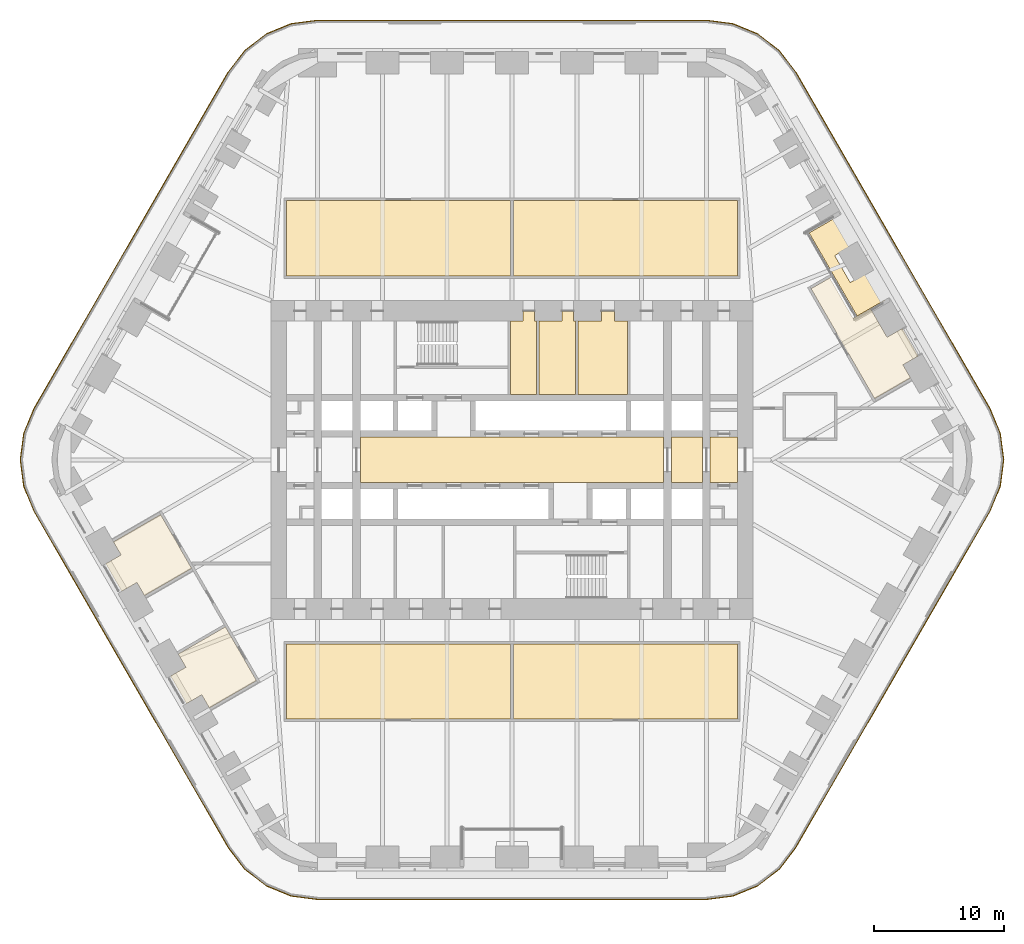
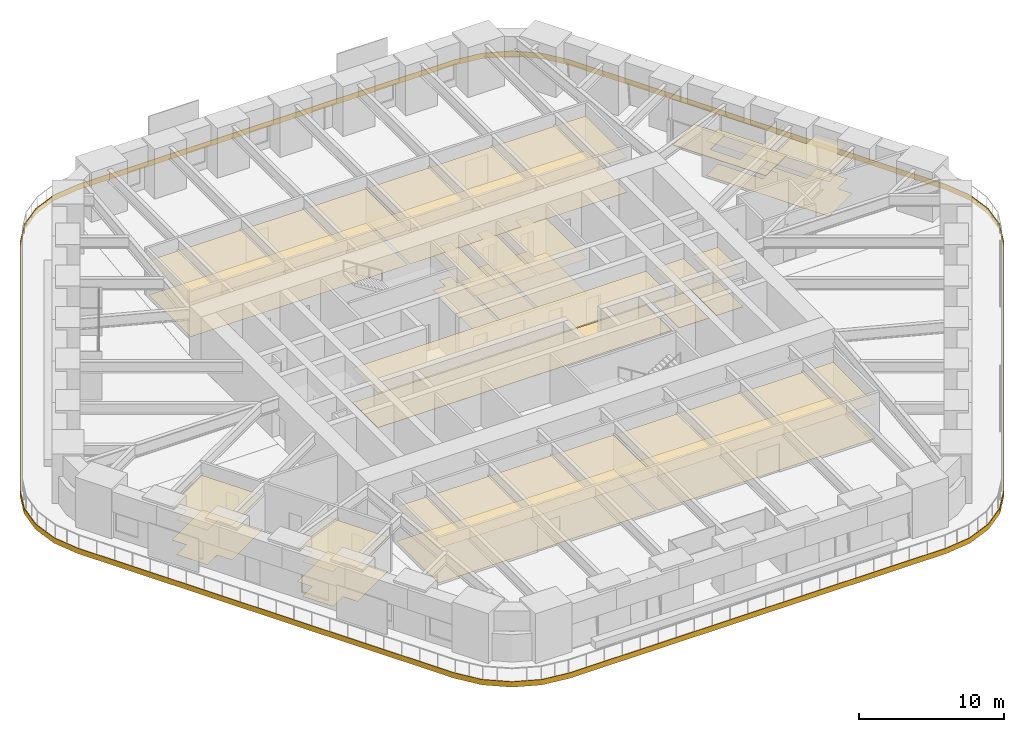
# One storey, part 23 of 24: 16 coverings.
"""IFC4 building model written with IfcOpenShell, lengths in metres."""

import ifcopenshell
import ifcopenshell.guid

model = None  # the IFC model being written
_history = None  # IfcOwnerHistory: only IFC2X3 demands one
_inside = {}  # id of a spatial element -> (the spatial element, [elements in it])
_under = {}  # id of a project, library or spatial element -> (it, [spatial elements below it])
_declared = {}  # id of a project -> (the project, [libraries it declares])
_typed = {}  # id of a type object -> (the type object, [elements of that type])
_made_of = {}  # id of a material, layer set ... -> (it, [elements and type objects made of it])


def new_model(schema):
    """Start an empty IFC model of exactly this schema.

    Asked for "IFC4X3", IfcOpenShell would pick the latest addendum, in which some entities
    have other attributes; the version numbers below select the first issue.
    IFC2X3 requires an IfcOwnerHistory on every rooted entity: one is made here for all.
    """
    global model, _history
    if schema == "IFC4X3":
        model = ifcopenshell.file(schema_version=(4, 3, 0, 0))
    else:
        model = ifcopenshell.file(schema=schema)
    _inside.clear()
    _under.clear()
    _declared.clear()
    _typed.clear()
    _made_of.clear()
    _history = None
    if model.schema == "IFC2X3":
        org = make("IfcOrganization", Name="unknown")
        user = make(
            "IfcPersonAndOrganization",
            ThePerson=make("IfcPerson", FamilyName="unknown"),
            TheOrganization=org,
        )
        app = make(
            "IfcApplication",
            ApplicationDeveloper=org,
            Version="unknown",
            ApplicationFullName="unknown",
            ApplicationIdentifier="unknown",
        )
        _history = make(
            "IfcOwnerHistory",
            OwningUser=user,
            OwningApplication=app,
            ChangeAction="ADDED",
            CreationDate=0,
        )
    return model


def make(cls, **values):
    """One entity of the class cls with the attributes given. An attribute that is None is left unset."""
    return model.create_entity(
        cls, **{name: value for name, value in values.items() if value is not None}
    )


def rooted(cls, **values):
    """An entity with a GlobalId (a new one), such as an element, a storey or a relation."""
    return make(cls, GlobalId=ifcopenshell.guid.new(), OwnerHistory=_history, **values)


def si_unit(unit_type, name, prefix=None):
    """IfcSIUnit, for example si_unit("LENGTHUNIT", "METRE", prefix="MILLI")."""
    return make("IfcSIUnit", UnitType=unit_type, Prefix=prefix, Name=name)


def assignment(units):
    """IfcUnitAssignment: the units of a project."""
    return None if units is None else make("IfcUnitAssignment", Units=units)


def point(xyz):
    """IfcCartesianPoint."""
    return None if xyz is None else make("IfcCartesianPoint", Coordinates=xyz)


def direction(xyz):
    """IfcDirection."""
    return None if xyz is None else make("IfcDirection", DirectionRatios=xyz)


def frame(location, z_axis=None, x_axis=None):
    """IfcAxis2Placement3D, a coordinate frame: its origin and axes. An axis left out is left unset."""
    return make(
        "IfcAxis2Placement3D",
        Location=point(location),
        Axis=direction(z_axis),
        RefDirection=direction(x_axis),
    )


def origin():
    """The frame at (0, 0, 0) with its axes left unset."""
    return frame((0.0, 0.0, 0.0))


def place(relative_to, where):
    """IfcLocalPlacement: puts the frame where relative to a parent placement (None: the world)."""
    return make(
        "IfcLocalPlacement", PlacementRelTo=relative_to, RelativePlacement=where
    )


def context(
    kind, dimensions, precision=None, world=None, true_north=None, identifier=None
):
    """IfcGeometricRepresentationContext, for example the 3D "Model" context."""
    return make(
        "IfcGeometricRepresentationContext",
        ContextIdentifier=identifier,
        ContextType=kind,
        CoordinateSpaceDimension=dimensions,
        Precision=precision,
        WorldCoordinateSystem=world,
        TrueNorth=true_north,
    )


def subcontext(parent, identifier, kind, view, scale=None):
    """IfcGeometricRepresentationSubContext, for example "Body" below "Model"."""
    return make(
        "IfcGeometricRepresentationSubContext",
        ContextIdentifier=identifier,
        ContextType=kind,
        ParentContext=parent,
        TargetScale=scale,
        TargetView=view,
    )


def project(units=None, contexts=None):
    """IfcProject with its units and contexts."""
    return rooted(
        "IfcProject",
        Name="project",
        RepresentationContexts=contexts,
        UnitsInContext=assignment(units),
    )


def spatial(cls, under=None, at=None, **own):
    """A site, building, storey or space (cls), placed at a placement, below another one or the project."""
    s = rooted(cls, ObjectPlacement=at, **own)
    if under is not None:
        _under.setdefault(under.id(), (under, []))[1].append(s)
    return s


def polyline(points):
    """IfcPolyline through the points."""
    return make("IfcPolyline", Points=[point(p) for p in points])


def outline(outer, holes=None, kind="AREA"):
    """IfcArbitraryClosedProfileDef: a profile drawn as a closed curve; with holes, ...WithVoids."""
    if holes is None:
        return make("IfcArbitraryClosedProfileDef", ProfileType=kind, OuterCurve=outer)
    return make(
        "IfcArbitraryProfileDefWithVoids",
        ProfileType=kind,
        OuterCurve=outer,
        InnerCurves=holes,
    )


def extrude(swept, where, along, depth):
    """IfcExtrudedAreaSolid: the profile swept, set in the frame where, extruded along a direction by depth."""
    return make(
        "IfcExtrudedAreaSolid",
        SweptArea=swept,
        Position=where,
        ExtrudedDirection=direction(along),
        Depth=depth,
    )


def shape(context_of_items, identifier, shape_type, items):
    """IfcShapeRepresentation: the items that make up one representation, for example the "Body"."""
    return make(
        "IfcShapeRepresentation",
        ContextOfItems=context_of_items,
        RepresentationIdentifier=identifier,
        RepresentationType=shape_type,
        Items=items,
    )


def material(Name=None, Category=None):
    """IfcMaterial."""
    return make("IfcMaterial", Name=Name, Category=Category)


def layer(
    of_material, thickness, ventilated=None, Name=None, Category=None, Priority=None
):
    """IfcMaterialLayer: one layer of a wall or slab, of a material (None: an air gap)."""
    return make(
        "IfcMaterialLayer",
        Material=of_material,
        LayerThickness=thickness,
        IsVentilated=ventilated,
        Name=Name,
        Category=Category,
        Priority=Priority,
    )


def layer_set(layers, Name=None):
    """IfcMaterialLayerSet."""
    return make("IfcMaterialLayerSet", MaterialLayers=layers, LayerSetName=Name)


def made_of(thing, what):
    """Note that an element or type object is made of a material, layer set ...; save() writes the relation."""
    if what is not None:
        _made_of.setdefault(what.id(), (what, []))[1].append(thing)
    return thing


def type_object(cls, material=None, **own):
    """A type object (cls), such as IfcWallType, which elements share."""
    return made_of(rooted(cls, **own), material)


def element(
    cls,
    number,
    at=None,
    inside=None,
    cuts=None,
    type_object=None,
    material=None,
    context=None,
    identifier="Body",
    shape_type=None,
    held_by="IfcProductDefinitionShape",
    body=None,
    shapes=None,
    **own,
):
    """One element of the class cls, such as IfcWall. Its Tag is "e" and its number.

    at: its placement. inside: the storey or other place that contains it. cuts: it is an
    opening in that element (IfcRelVoidsElement). A single representation is given by context,
    identifier, shape_type and body (its items); several are given by shapes. held_by: the class
    of the entity that holds the representations. save() writes the other relations.
    """
    e = rooted(cls, Tag="e%d" % number, ObjectPlacement=at, **own)
    if body is not None:
        shapes = [shape(context, identifier, shape_type, body)]
    if shapes is not None:
        e.Representation = make(held_by, Representations=shapes)
    if inside is not None:
        _inside.setdefault(inside.id(), (inside, []))[1].append(e)
    if cuts is not None:
        rooted(
            "IfcRelVoidsElement", RelatingBuildingElement=cuts, RelatedOpeningElement=e
        )
    if type_object is not None:
        _typed.setdefault(type_object.id(), (type_object, []))[1].append(e)
    return made_of(e, material)


def aggregate(whole, parts):
    """IfcRelAggregates: a whole, such as a stair, and the parts it consists of."""
    return rooted("IfcRelAggregates", RelatingObject=whole, RelatedObjects=parts)


def save(model, path):
    """Write the relations noted so far, then the file.

    IfcRelAggregates (storeys below a building ...), IfcRelContainedInSpatialStructure (elements
    in a storey), IfcRelDefinesByType, IfcRelAssociatesMaterial and IfcRelDeclares: one each for
    every whole, place, type object, material and project.
    """
    for whole, parts in _under.values():
        aggregate(whole, parts)
    for where, things in _inside.values():
        rooted(
            "IfcRelContainedInSpatialStructure",
            RelatedElements=things,
            RelatingStructure=where,
        )
    for kind, things in _typed.values():
        rooted("IfcRelDefinesByType", RelatedObjects=things, RelatingType=kind)
    for what, things in _made_of.values():
        rooted("IfcRelAssociatesMaterial", RelatedObjects=things, RelatingMaterial=what)
    for by, libraries in _declared.values():
        rooted("IfcRelDeclares", RelatingContext=by, RelatedDefinitions=libraries)
    model.write(path)


model = new_model("IFC4")

# Units and contexts
model_context = context("Model", 3, precision=1e-05, world=origin(), true_north=direction((0.0, 1.0)))
body_context = subcontext(model_context, "Body", "Model", "MODEL_VIEW")
ifc_project = project(units=[si_unit("LENGTHUNIT", "METRE"), si_unit("AREAUNIT", "SQUARE_METRE"), si_unit("VOLUMEUNIT", "CUBIC_METRE"), si_unit("PLANEANGLEUNIT", "RADIAN"), si_unit("MASSUNIT", "GRAM", prefix="KILO")], contexts=[model_context])

# Site, building, storey
site_placement = place(None, origin())
site = spatial("IfcSite", under=ifc_project, at=site_placement, CompositionType="ELEMENT")
building_placement = place(site_placement, origin())
building = spatial("IfcBuilding", under=site, at=building_placement, Name="Tarfa Lantern Tower", CompositionType="ELEMENT")
storey_placement = place(building_placement, frame((0.0, 0.0, 119.5)))
storey = spatial("IfcBuildingStorey", under=building, at=storey_placement, Name="L26", CompositionType="ELEMENT", Elevation=119.5)

# Coverings
ifc_material_1 = material(Name="Mineral fibre acoustic tile on suspension grid", Category="finish")
ifc_layer_1 = layer(ifc_material_1, 0.02001953125)
ifc_layer_set_1 = layer_set([ifc_layer_1], Name="CL1 ACOUSTIC TILE CEILING 20")
covering_type_1 = type_object("IfcCoveringType", Name="CL1 ACOUSTIC TILE CEILING 20", PredefinedType="CEILING", material=ifc_layer_set_1)
covering_1_placement = place(storey_placement, frame((0.0, 0.0, 2.89990234375)))
element("IfcCovering", 1, at=covering_1_placement, inside=storey, type_object=covering_type_1, Name="Ceiling L26 CL1", PredefinedType="CEILING", context=body_context, shape_type="SweptSolid", body=[
    extrude(outline(polyline([(-17.39990234375, 20.0), (-0.10009765625, 20.0), (-0.10009765625, 14.199951171875), (-17.39990234375, 14.199951171875), (-17.39990234375, 20.0)])), origin(), (0.0, 0.0, 1.0), 0.02001953125),
    extrude(outline(polyline([(0.10009765625, 20.0), (17.39990234375, 20.0), (17.39990234375, 14.199951171875), (0.10009765625, 14.199951171875), (0.10009765625, 20.0)])), origin(), (0.0, 0.0, 1.0), 0.02001953125),
    extrude(outline(polyline([(0.10009765625, -14.199951171875), (17.39990234375, -14.199951171875), (17.39990234375, -20.0), (0.10009765625, -20.0), (0.10009765625, -14.199951171875)])), origin(), (0.0, 0.0, 1.0), 0.02001953125),
    extrude(outline(polyline([(-17.39990234375, -14.199951171875), (-0.10009765625, -14.199951171875), (-0.10009765625, -20.0), (-17.39990234375, -20.0), (-17.39990234375, -14.199951171875)])), origin(), (0.0, 0.0, 1.0), 0.02001953125),
    extrude(outline(polyline([(27.989990234375, 4.719970703125), (23.086181640625, 13.21337890625), (24.51513671875, 14.038330078125), (26.317138671875, 10.91748046875), (28.82861328125, 12.367431640625), (28.841064453125, 12.345947265625), (27.671875, 11.6708984375), (28.947021484375, 9.46240234375), (30.115966796875, 10.137451171875), (31.3427734375, 8.012451171875), (30.173828125, 7.33740234375), (30.76123046875, 6.31982421875), (27.989990234375, 4.719970703125)])), origin(), (0.0, 0.0, 1.0), 0.02001953125),
    extrude(outline(polyline([(-24.72216796875, -8.380126953125), (-28.359375, -10.47998046875), (-28.947021484375, -9.46240234375), (-30.115966796875, -10.137451171875), (-31.3427734375, -8.012451171875), (-30.173828125, -7.33740234375), (-30.76123046875, -6.31982421875), (-27.1240234375, -4.219970703125), (-24.72216796875, -8.380126953125)])), origin(), (0.0, 0.0, 1.0), 0.02001953125),
    extrude(outline(polyline([(-19.718505859375, -17.046630859375), (-23.355712890625, -19.146728515625), (-23.943115234375, -18.129150390625), (-25.1123046875, -18.80419921875), (-26.339111328125, -16.67919921875), (-25.170166015625, -16.004150390625), (-25.757568359375, -14.986572265625), (-22.120361328125, -12.88671875), (-19.718505859375, -17.046630859375)])), origin(), (0.0, 0.0, 1.0), 0.02001953125),
])
ifc_material_2 = material(Name="Moisture-resistant plasterboard", Category="finish")
ifc_layer_2 = layer(ifc_material_2, 0.014892578125)
ifc_layer_set_2 = layer_set([ifc_layer_2], Name="CL2 MOISTURE-RESISTANT PLASTERBOARD CEILING 15")
covering_type_2 = type_object("IfcCoveringType", Name="CL2 MOISTURE-RESISTANT PLASTERBOARD CEILING 15", PredefinedType="CEILING", material=ifc_layer_set_2)
covering_2_placement = place(storey_placement, frame((0.0, 0.0, 2.89990234375)))
element("IfcCovering", 2, at=covering_2_placement, inside=storey, type_object=covering_type_2, Name="Ceiling L26-09", PredefinedType="CEILING", context=body_context, shape_type="SweptSolid", body=[
    extrude(outline(polyline([(0.85009765625, 10.699951171875), (-0.10009765625, 10.699951171875), (-0.10009765625, 5.050048828125), (1.89990234375, 5.050048828125), (1.89990234375, 10.699951171875), (1.75, 10.699951171875), (1.75, 11.5), (1.75, 11.5), (0.85009765625, 11.5), (0.85009765625, 10.699951171875)])), origin(), (0.0, 0.0, 1.0), 0.01513671875),
])
covering_3_placement = place(storey_placement, frame((0.0, 0.0, 2.89990234375)))
element("IfcCovering", 3, at=covering_3_placement, inside=storey, type_object=covering_type_2, Name="Ceiling L26-10", PredefinedType="CEILING", context=body_context, shape_type="SweptSolid", body=[
    extrude(outline(polyline([(2.10009765625, 5.050048828125), (4.89990234375, 5.050048828125), (4.89990234375, 10.699951171875), (4.75, 10.699951171875), (4.75, 11.5), (3.85009765625, 11.5), (3.85009765625, 10.699951171875), (2.10009765625, 10.699951171875), (2.10009765625, 5.050048828125)])), origin(), (0.0, 0.0, 1.0), 0.01513671875),
])
covering_4_placement = place(storey_placement, frame((0.0, 0.0, 2.89990234375)))
element("IfcCovering", 4, at=covering_4_placement, inside=storey, type_object=covering_type_2, Name="Ceiling L26-11", PredefinedType="CEILING", context=body_context, shape_type="SweptSolid", body=[
    extrude(outline(polyline([(5.10009765625, 5.050048828125), (8.89990234375, 5.050048828125), (8.89990234375, 10.699951171875), (7.89990234375, 10.699951171875), (7.89990234375, 11.5), (6.89990234375, 11.5), (6.89990234375, 10.699951171875), (5.10009765625, 10.699951171875), (5.10009765625, 5.050048828125)])), origin(), (0.0, 0.0, 1.0), 0.01513671875),
])
ifc_material_3 = material(Name="Powder-coated aluminium panel", Category="aluminium")
ifc_layer_3 = layer(ifc_material_3, 0.030029296875)
ifc_layer_set_3 = layer_set([ifc_layer_3], Name="CL3 METAL PANEL CEILING 30")
covering_type_3 = type_object("IfcCoveringType", Name="CL3 METAL PANEL CEILING 30", PredefinedType="CEILING", material=ifc_layer_set_3)
covering_5_placement = place(storey_placement, frame((0.0, 0.0, 2.89990234375)))
element("IfcCovering", 5, at=covering_5_placement, inside=storey, type_object=covering_type_3, Name="Ceiling L26-03", PredefinedType="CEILING", context=body_context, shape_type="SweptSolid", body=[
    extrude(outline(polyline([(-11.699951171875, -1.75), (11.699951171875, -1.75), (11.699951171875, 1.75), (-11.699951171875, 1.75), (-11.699951171875, -1.75)])), origin(), (0.0, 0.0, 1.0), 0.030029296875),
])
covering_6_placement = place(storey_placement, frame((0.0, 0.0, 2.89990234375)))
element("IfcCovering", 6, at=covering_6_placement, inside=storey, type_object=covering_type_3, Name="Ceiling L26-04", PredefinedType="CEILING", context=body_context, shape_type="SweptSolid", body=[
    extrude(outline(polyline([(12.300048828125, -1.75), (14.699951171875, -1.75), (14.699951171875, 1.75), (12.300048828125, 1.75), (12.300048828125, -1.75)])), origin(), (0.0, 0.0, 1.0), 0.030029296875),
])
covering_7_placement = place(storey_placement, frame((0.0, 0.0, 2.89990234375)))
element("IfcCovering", 7, at=covering_7_placement, inside=storey, type_object=covering_type_3, Name="Ceiling L26-05", PredefinedType="CEILING", context=body_context, shape_type="SweptSolid", body=[
    extrude(outline(polyline([(15.300048828125, -1.75), (17.39990234375, -1.75), (17.39990234375, 1.75), (15.300048828125, 1.75), (15.300048828125, -1.75)])), origin(), (0.0, 0.0, 1.0), 0.030029296875),
])
ifc_material_4 = material(Name="Nylon carpet tile", Category="finish")
ifc_layer_4 = layer(ifc_material_4, 0.010009765625)
ifc_layer_set_4 = layer_set([ifc_layer_4], Name="FL1 CARPET TILE 10")
covering_type_4 = type_object("IfcCoveringType", Name="FL1 CARPET TILE 10", PredefinedType="FLOORING", material=ifc_layer_set_4)
covering_8_placement = place(storey_placement, origin())
element("IfcCovering", 8, at=covering_8_placement, inside=storey, type_object=covering_type_4, Name="Floor finish L26 FL1", PredefinedType="FLOORING", context=body_context, shape_type="SweptSolid", body=[
    extrude(outline(polyline([(-17.39990234375, 20.0), (-0.10009765625, 20.0), (-0.10009765625, 14.199951171875), (-17.39990234375, 14.199951171875), (-17.39990234375, 20.0)])), origin(), (0.0, 0.0, 1.0), 0.010009765625),
    extrude(outline(polyline([(0.10009765625, 20.0), (17.39990234375, 20.0), (17.39990234375, 14.199951171875), (0.10009765625, 14.199951171875), (0.10009765625, 20.0)])), origin(), (0.0, 0.0, 1.0), 0.010009765625),
    extrude(outline(polyline([(0.10009765625, -14.199951171875), (17.39990234375, -14.199951171875), (17.39990234375, -20.0), (0.10009765625, -20.0), (0.10009765625, -14.199951171875)])), origin(), (0.0, 0.0, 1.0), 0.010009765625),
    extrude(outline(polyline([(-17.39990234375, -14.199951171875), (-0.10009765625, -14.199951171875), (-0.10009765625, -20.0), (-17.39990234375, -20.0), (-17.39990234375, -14.199951171875)])), origin(), (0.0, 0.0, 1.0), 0.010009765625),
    extrude(outline(polyline([(27.989990234375, 4.719970703125), (23.086181640625, 13.21337890625), (24.51513671875, 14.038330078125), (26.317138671875, 10.91748046875), (28.82861328125, 12.367431640625), (28.841064453125, 12.345947265625), (27.671875, 11.6708984375), (28.947021484375, 9.46240234375), (30.115966796875, 10.137451171875), (31.3427734375, 8.012451171875), (30.173828125, 7.33740234375), (30.76123046875, 6.31982421875), (27.989990234375, 4.719970703125)])), origin(), (0.0, 0.0, 1.0), 0.010009765625),
    extrude(outline(polyline([(-24.72216796875, -8.380126953125), (-28.359375, -10.47998046875), (-28.947021484375, -9.46240234375), (-30.115966796875, -10.137451171875), (-31.3427734375, -8.012451171875), (-30.173828125, -7.33740234375), (-30.76123046875, -6.31982421875), (-27.1240234375, -4.219970703125), (-24.72216796875, -8.380126953125)])), origin(), (0.0, 0.0, 1.0), 0.010009765625),
    extrude(outline(polyline([(-19.718505859375, -17.046630859375), (-23.355712890625, -19.146728515625), (-23.943115234375, -18.129150390625), (-25.1123046875, -18.80419921875), (-26.339111328125, -16.67919921875), (-25.170166015625, -16.004150390625), (-25.757568359375, -14.986572265625), (-22.120361328125, -12.88671875), (-19.718505859375, -17.046630859375)])), origin(), (0.0, 0.0, 1.0), 0.010009765625),
])
ifc_material_5 = material(Name="Honed limestone flooring", Category="masonry")
ifc_layer_5 = layer(ifc_material_5, 0.030029296875)
ifc_layer_set_5 = layer_set([ifc_layer_5], Name="FL2 STONE FLOORING 30")
covering_type_5 = type_object("IfcCoveringType", Name="FL2 STONE FLOORING 30", PredefinedType="FLOORING", material=ifc_layer_set_5)
covering_9_placement = place(storey_placement, origin())
element("IfcCovering", 9, at=covering_9_placement, inside=storey, type_object=covering_type_5, Name="Floor finish L26-03", PredefinedType="FLOORING", context=body_context, shape_type="SweptSolid", body=[
    extrude(outline(polyline([(-11.699951171875, -1.75), (11.699951171875, -1.75), (11.699951171875, 1.75), (-11.699951171875, 1.75), (-11.699951171875, -1.75)])), origin(), (0.0, 0.0, 1.0), 0.030029296875),
])
covering_10_placement = place(storey_placement, origin())
element("IfcCovering", 10, at=covering_10_placement, inside=storey, type_object=covering_type_5, Name="Floor finish L26-04", PredefinedType="FLOORING", context=body_context, shape_type="SweptSolid", body=[
    extrude(outline(polyline([(12.300048828125, -1.75), (14.699951171875, -1.75), (14.699951171875, 1.75), (12.300048828125, 1.75), (12.300048828125, -1.75)])), origin(), (0.0, 0.0, 1.0), 0.030029296875),
])
covering_11_placement = place(storey_placement, origin())
element("IfcCovering", 11, at=covering_11_placement, inside=storey, type_object=covering_type_5, Name="Floor finish L26-05", PredefinedType="FLOORING", context=body_context, shape_type="SweptSolid", body=[
    extrude(outline(polyline([(15.300048828125, -1.75), (17.39990234375, -1.75), (17.39990234375, 1.75), (15.300048828125, 1.75), (15.300048828125, -1.75)])), origin(), (0.0, 0.0, 1.0), 0.030029296875),
])
ifc_material_6 = material(Name="Porcelain floor tile", Category="finish")
ifc_layer_6 = layer(ifc_material_6, 0.011962890625)
ifc_layer_set_6 = layer_set([ifc_layer_6], Name="FL3 CERAMIC TILE 12")
covering_type_6 = type_object("IfcCoveringType", Name="FL3 CERAMIC TILE 12", PredefinedType="FLOORING", material=ifc_layer_set_6)
covering_12_placement = place(storey_placement, origin())
element("IfcCovering", 12, at=covering_12_placement, inside=storey, type_object=covering_type_6, Name="Floor finish L26-09", PredefinedType="FLOORING", context=body_context, shape_type="SweptSolid", body=[
    extrude(outline(polyline([(0.85009765625, 10.699951171875), (-0.10009765625, 10.699951171875), (-0.10009765625, 5.050048828125), (1.89990234375, 5.050048828125), (1.89990234375, 10.699951171875), (1.75, 10.699951171875), (1.75, 11.5), (1.75, 11.5), (0.85009765625, 11.5), (0.85009765625, 10.699951171875)])), origin(), (0.0, 0.0, 1.0), 0.011962890625),
])
covering_13_placement = place(storey_placement, origin())
element("IfcCovering", 13, at=covering_13_placement, inside=storey, type_object=covering_type_6, Name="Floor finish L26-10", PredefinedType="FLOORING", context=body_context, shape_type="SweptSolid", body=[
    extrude(outline(polyline([(2.10009765625, 5.050048828125), (4.89990234375, 5.050048828125), (4.89990234375, 10.699951171875), (4.75, 10.699951171875), (4.75, 11.5), (3.85009765625, 11.5), (3.85009765625, 10.699951171875), (2.10009765625, 10.699951171875), (2.10009765625, 5.050048828125)])), origin(), (0.0, 0.0, 1.0), 0.011962890625),
])
covering_14_placement = place(storey_placement, origin())
element("IfcCovering", 14, at=covering_14_placement, inside=storey, type_object=covering_type_6, Name="Floor finish L26-11", PredefinedType="FLOORING", context=body_context, shape_type="SweptSolid", body=[
    extrude(outline(polyline([(5.10009765625, 5.050048828125), (8.89990234375, 5.050048828125), (8.89990234375, 10.699951171875), (7.89990234375, 10.699951171875), (7.89990234375, 11.5), (6.89990234375, 11.5), (6.89990234375, 10.699951171875), (5.10009765625, 10.699951171875), (5.10009765625, 5.050048828125)])), origin(), (0.0, 0.0, 1.0), 0.011962890625),
])
ifc_material_7 = material(Name="Porcelain pavers on pedestals", Category="ceramic")
ifc_layer_7 = layer(ifc_material_7, 0.0400390625)
ifc_layer_set_7 = layer_set([ifc_layer_7], Name="LP1 LOGGIA PAVING 40")
covering_type_7 = type_object("IfcCoveringType", Name="LP1 LOGGIA PAVING 40", PredefinedType="FLOORING", material=ifc_layer_set_7)
covering_15_placement = place(storey_placement, origin())
element("IfcCovering", 15, at=covering_15_placement, inside=storey, type_object=covering_type_7, Name="Loggia paving NE", PredefinedType="FLOORING", context=body_context, shape_type="SweptSolid", body=[
    extrude(outline(polyline([(29.131591796875, 12.54248046875), (26.637451171875, 11.1025390625), (22.933837890625, 17.517578125), (25.427978515625, 18.95751953125), (26.6796875, 16.789306640625), (24.904541015625, 15.76416015625), (26.1044921875, 13.685791015625), (27.8798828125, 14.710693359375), (29.131591796875, 12.54248046875)])), origin(), (0.0, 0.0, 1.0), 0.0400390625),
])
ifc_material_8 = material(Name="Limestone cladding on brackets", Category="masonry")
ifc_layer_8 = layer(ifc_material_8, 0.050048828125)
ifc_layer_set_8 = layer_set([ifc_layer_8], Name="SB1 STONE BAND CLADDING 50")
covering_type_8 = type_object("IfcCoveringType", Name="SB1 STONE BAND CLADDING 50", PredefinedType="CLADDING", material=ifc_layer_set_8)
covering_16_placement = place(storey_placement, frame((0.0, 0.0, -0.39990234375)))
element("IfcCovering", 16, at=covering_16_placement, inside=storey, type_object=covering_type_8, Name="Stone band", PredefinedType="CLADDING", context=body_context, shape_type="SweptSolid", body=[
    extrude(outline(polyline([(36.9072265625, 3.97509765625), (21.89599609375, 29.97509765625), (20.632568359375, 31.62158203125), (18.986083984375, 32.885009765625), (17.068603515625, 33.67919921875), (15.010986328125, 33.949951171875), (-15.010986328125, 33.949951171875), (-17.068603515625, 33.67919921875), (-18.986083984375, 32.885009765625), (-20.632568359375, 31.62158203125), (-21.89599609375, 29.97509765625), (-36.9072265625, 3.97509765625), (-37.701416015625, 2.0576171875), (-37.97216796875, 0.0), (-37.701416015625, -2.0576171875), (-36.9072265625, -3.97509765625), (-21.89599609375, -29.97509765625), (-20.632568359375, -31.62158203125), (-18.986083984375, -32.885009765625), (-17.068603515625, -33.67919921875), (-15.010986328125, -33.949951171875), (15.010986328125, -33.949951171875), (17.068603515625, -33.67919921875), (18.986083984375, -32.885009765625), (20.632568359375, -31.62158203125), (21.89599609375, -29.97509765625), (36.9072265625, -3.97509765625), (37.701416015625, -2.0576171875), (37.97216796875, 0.0), (37.701416015625, 2.0576171875), (36.9072265625, 3.97509765625)]), holes=[polyline([(36.86376953125, 3.949951171875), (21.852783203125, 29.949951171875), (20.59716796875, 31.586181640625), (18.961181640625, 32.841552734375), (17.0556640625, 33.630859375), (15.010986328125, 33.89990234375), (-15.010986328125, 33.89990234375), (-17.0556640625, 33.630859375), (-18.961181640625, 32.841552734375), (-20.59716796875, 31.586181640625), (-21.852783203125, 29.949951171875), (-36.86376953125, 3.949951171875), (-37.653076171875, 2.044677734375), (-37.922119140625, 0.0), (-37.653076171875, -2.044677734375), (-36.86376953125, -3.949951171875), (-21.852783203125, -29.949951171875), (-20.59716796875, -31.586181640625), (-18.961181640625, -32.841552734375), (-17.0556640625, -33.630859375), (-15.010986328125, -33.89990234375), (15.010986328125, -33.89990234375), (17.0556640625, -33.630859375), (18.961181640625, -32.841552734375), (20.59716796875, -31.586181640625), (21.852783203125, -29.949951171875), (36.86376953125, -3.949951171875), (37.653076171875, -2.044677734375), (37.922119140625, 0.0), (37.653076171875, 2.044677734375), (36.86376953125, 3.949951171875)])]), origin(), (0.0, 0.0, 1.0), 0.449951171875),
])

save(model, "model.ifc")
